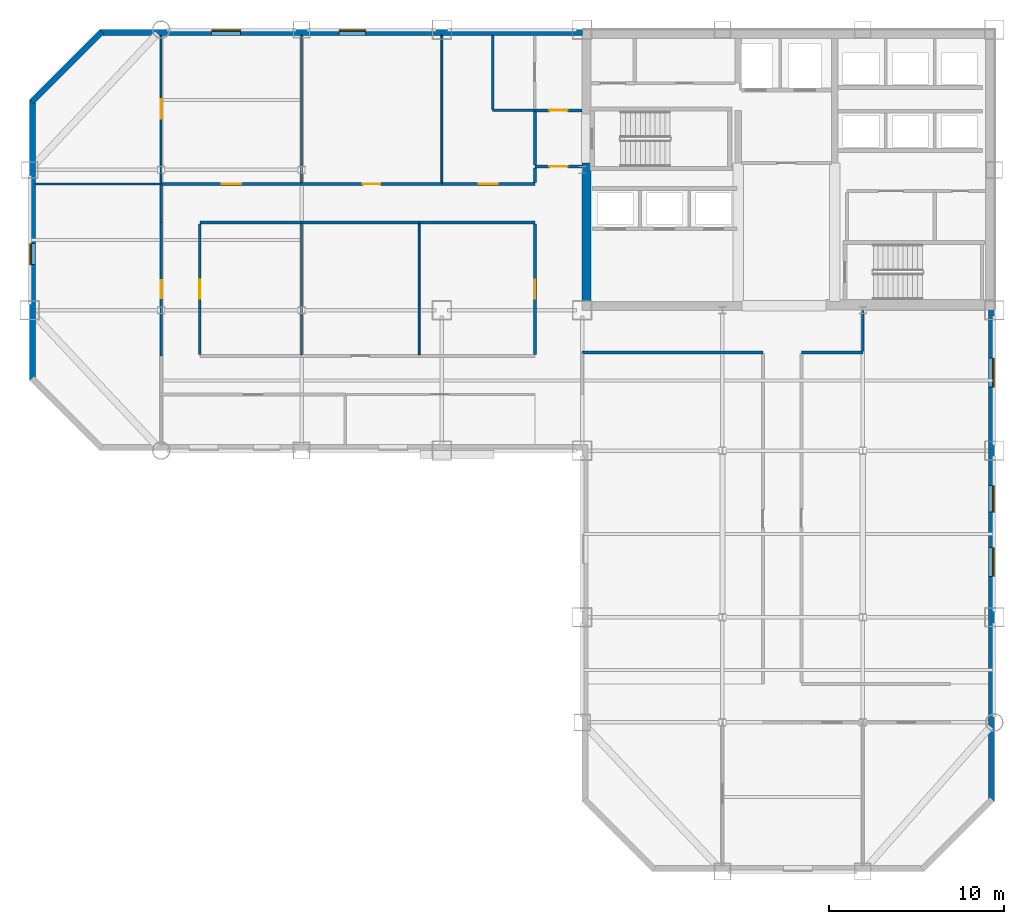
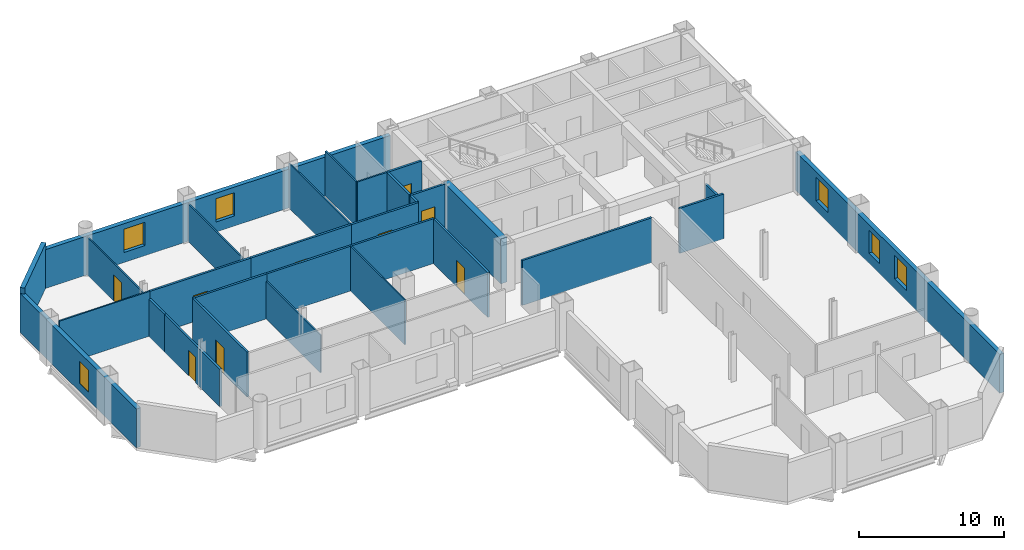
# One storey, part 6 of 10: 30 walls, 9 doors, 6 windows, 15 openings.
"""IFC4 building model written with IfcOpenShell, lengths in metres."""

import ifcopenshell
import ifcopenshell.guid

model = None  # the IFC model being written
_history = None  # IfcOwnerHistory: only IFC2X3 demands one
_inside = {}  # id of a spatial element -> (the spatial element, [elements in it])
_under = {}  # id of a project, library or spatial element -> (it, [spatial elements below it])
_declared = {}  # id of a project -> (the project, [libraries it declares])
_typed = {}  # id of a type object -> (the type object, [elements of that type])
_made_of = {}  # id of a material, layer set ... -> (it, [elements and type objects made of it])


def new_model(schema):
    """Start an empty IFC model of exactly this schema.

    Asked for "IFC4X3", IfcOpenShell would pick the latest addendum, in which some entities
    have other attributes; the version numbers below select the first issue.
    IFC2X3 requires an IfcOwnerHistory on every rooted entity: one is made here for all.
    """
    global model, _history
    if schema == "IFC4X3":
        model = ifcopenshell.file(schema_version=(4, 3, 0, 0))
    else:
        model = ifcopenshell.file(schema=schema)
    _inside.clear()
    _under.clear()
    _declared.clear()
    _typed.clear()
    _made_of.clear()
    _history = None
    if model.schema == "IFC2X3":
        org = make("IfcOrganization", Name="unknown")
        user = make(
            "IfcPersonAndOrganization",
            ThePerson=make("IfcPerson", FamilyName="unknown"),
            TheOrganization=org,
        )
        app = make(
            "IfcApplication",
            ApplicationDeveloper=org,
            Version="unknown",
            ApplicationFullName="unknown",
            ApplicationIdentifier="unknown",
        )
        _history = make(
            "IfcOwnerHistory",
            OwningUser=user,
            OwningApplication=app,
            ChangeAction="ADDED",
            CreationDate=0,
        )
    return model


def make(cls, **values):
    """One entity of the class cls with the attributes given. An attribute that is None is left unset."""
    return model.create_entity(
        cls, **{name: value for name, value in values.items() if value is not None}
    )


def rooted(cls, **values):
    """An entity with a GlobalId (a new one), such as an element, a storey or a relation."""
    return make(cls, GlobalId=ifcopenshell.guid.new(), OwnerHistory=_history, **values)


def si_unit(unit_type, name, prefix=None):
    """IfcSIUnit, for example si_unit("LENGTHUNIT", "METRE", prefix="MILLI")."""
    return make("IfcSIUnit", UnitType=unit_type, Prefix=prefix, Name=name)


def assignment(units):
    """IfcUnitAssignment: the units of a project."""
    return None if units is None else make("IfcUnitAssignment", Units=units)


def point(xyz):
    """IfcCartesianPoint."""
    return None if xyz is None else make("IfcCartesianPoint", Coordinates=xyz)


def direction(xyz):
    """IfcDirection."""
    return None if xyz is None else make("IfcDirection", DirectionRatios=xyz)


def frame(location, z_axis=None, x_axis=None):
    """IfcAxis2Placement3D, a coordinate frame: its origin and axes. An axis left out is left unset."""
    return make(
        "IfcAxis2Placement3D",
        Location=point(location),
        Axis=direction(z_axis),
        RefDirection=direction(x_axis),
    )


def frame_2d(location, x_axis=None):
    """IfcAxis2Placement2D, a coordinate frame in the plane: its origin and x axis."""
    return make(
        "IfcAxis2Placement2D", Location=point(location), RefDirection=direction(x_axis)
    )


def origin():
    """The frame at (0, 0, 0) with its axes left unset."""
    return frame((0.0, 0.0, 0.0))


def place(relative_to, where):
    """IfcLocalPlacement: puts the frame where relative to a parent placement (None: the world)."""
    return make(
        "IfcLocalPlacement", PlacementRelTo=relative_to, RelativePlacement=where
    )


def context(
    kind, dimensions, precision=None, world=None, true_north=None, identifier=None
):
    """IfcGeometricRepresentationContext, for example the 3D "Model" context."""
    return make(
        "IfcGeometricRepresentationContext",
        ContextIdentifier=identifier,
        ContextType=kind,
        CoordinateSpaceDimension=dimensions,
        Precision=precision,
        WorldCoordinateSystem=world,
        TrueNorth=true_north,
    )


def subcontext(parent, identifier, kind, view, scale=None):
    """IfcGeometricRepresentationSubContext, for example "Body" below "Model"."""
    return make(
        "IfcGeometricRepresentationSubContext",
        ContextIdentifier=identifier,
        ContextType=kind,
        ParentContext=parent,
        TargetScale=scale,
        TargetView=view,
    )


def project(units=None, contexts=None):
    """IfcProject with its units and contexts."""
    return rooted(
        "IfcProject",
        Name="project",
        RepresentationContexts=contexts,
        UnitsInContext=assignment(units),
    )


def spatial(cls, under=None, at=None, **own):
    """A site, building, storey or space (cls), placed at a placement, below another one or the project."""
    s = rooted(cls, ObjectPlacement=at, **own)
    if under is not None:
        _under.setdefault(under.id(), (under, []))[1].append(s)
    return s


def profile(cls, at=None, kind="AREA", **sizes):
    """A parametric profile (cls). Its sizes go by their IFC names, for example OverallWidth=200.0."""
    return make(cls, ProfileType=kind, Position=at, **sizes)


def rectangle(**sizes):
    """IfcRectangleProfileDef."""
    return profile("IfcRectangleProfileDef", **sizes)


def extrude(swept, where, along, depth):
    """IfcExtrudedAreaSolid: the profile swept, set in the frame where, extruded along a direction by depth."""
    return make(
        "IfcExtrudedAreaSolid",
        SweptArea=swept,
        Position=where,
        ExtrudedDirection=direction(along),
        Depth=depth,
    )


def shape(context_of_items, identifier, shape_type, items):
    """IfcShapeRepresentation: the items that make up one representation, for example the "Body"."""
    return make(
        "IfcShapeRepresentation",
        ContextOfItems=context_of_items,
        RepresentationIdentifier=identifier,
        RepresentationType=shape_type,
        Items=items,
    )


def material(Name=None, Category=None):
    """IfcMaterial."""
    return make("IfcMaterial", Name=Name, Category=Category)


def layer(
    of_material, thickness, ventilated=None, Name=None, Category=None, Priority=None
):
    """IfcMaterialLayer: one layer of a wall or slab, of a material (None: an air gap)."""
    return make(
        "IfcMaterialLayer",
        Material=of_material,
        LayerThickness=thickness,
        IsVentilated=ventilated,
        Name=Name,
        Category=Category,
        Priority=Priority,
    )


def layer_set(layers, Name=None):
    """IfcMaterialLayerSet."""
    return make("IfcMaterialLayerSet", MaterialLayers=layers, LayerSetName=Name)


def made_of(thing, what):
    """Note that an element or type object is made of a material, layer set ...; save() writes the relation."""
    if what is not None:
        _made_of.setdefault(what.id(), (what, []))[1].append(thing)
    return thing


def type_object(cls, material=None, **own):
    """A type object (cls), such as IfcWallType, which elements share."""
    return made_of(rooted(cls, **own), material)


def element(
    cls,
    number,
    at=None,
    inside=None,
    cuts=None,
    type_object=None,
    material=None,
    context=None,
    identifier="Body",
    shape_type=None,
    held_by="IfcProductDefinitionShape",
    body=None,
    shapes=None,
    **own,
):
    """One element of the class cls, such as IfcWall. Its Tag is "e" and its number.

    at: its placement. inside: the storey or other place that contains it. cuts: it is an
    opening in that element (IfcRelVoidsElement). A single representation is given by context,
    identifier, shape_type and body (its items); several are given by shapes. held_by: the class
    of the entity that holds the representations. save() writes the other relations.
    """
    e = rooted(cls, Tag="e%d" % number, ObjectPlacement=at, **own)
    if body is not None:
        shapes = [shape(context, identifier, shape_type, body)]
    if shapes is not None:
        e.Representation = make(held_by, Representations=shapes)
    if inside is not None:
        _inside.setdefault(inside.id(), (inside, []))[1].append(e)
    if cuts is not None:
        rooted(
            "IfcRelVoidsElement", RelatingBuildingElement=cuts, RelatedOpeningElement=e
        )
    if type_object is not None:
        _typed.setdefault(type_object.id(), (type_object, []))[1].append(e)
    return made_of(e, material)


def fill(opening, filler):
    """IfcRelFillsElement: the door or window that sits in an opening."""
    return rooted(
        "IfcRelFillsElement",
        RelatingOpeningElement=opening,
        RelatedBuildingElement=filler,
    )


def aggregate(whole, parts):
    """IfcRelAggregates: a whole, such as a stair, and the parts it consists of."""
    return rooted("IfcRelAggregates", RelatingObject=whole, RelatedObjects=parts)


def save(model, path):
    """Write the relations noted so far, then the file.

    IfcRelAggregates (storeys below a building ...), IfcRelContainedInSpatialStructure (elements
    in a storey), IfcRelDefinesByType, IfcRelAssociatesMaterial and IfcRelDeclares: one each for
    every whole, place, type object, material and project.
    """
    for whole, parts in _under.values():
        aggregate(whole, parts)
    for where, things in _inside.values():
        rooted(
            "IfcRelContainedInSpatialStructure",
            RelatedElements=things,
            RelatingStructure=where,
        )
    for kind, things in _typed.values():
        rooted("IfcRelDefinesByType", RelatedObjects=things, RelatingType=kind)
    for what, things in _made_of.values():
        rooted("IfcRelAssociatesMaterial", RelatedObjects=things, RelatingMaterial=what)
    for by, libraries in _declared.values():
        rooted("IfcRelDeclares", RelatingContext=by, RelatedDefinitions=libraries)
    model.write(path)


model = new_model("IFC4")

# Units and contexts
model_context = context("Model", 3, precision=1e-05, world=origin(), true_north=direction((0.0, 1.0)))
body_context = subcontext(model_context, "Body", "Model", "MODEL_VIEW")
ifc_project = project(units=[si_unit("LENGTHUNIT", "METRE"), si_unit("AREAUNIT", "SQUARE_METRE"), si_unit("VOLUMEUNIT", "CUBIC_METRE"), si_unit("PLANEANGLEUNIT", "RADIAN"), si_unit("MASSUNIT", "GRAM", prefix="KILO")], contexts=[model_context])

# Site, building, storey
site_placement = place(None, origin())
site = spatial("IfcSite", under=ifc_project, at=site_placement, CompositionType="ELEMENT")
building_placement = place(site_placement, origin())
building = spatial("IfcBuilding", under=site, at=building_placement, Name="Qianrong Seaharbour Tower", CompositionType="ELEMENT")
storey_placement = place(building_placement, frame((0.0, 0.0, 131.0)))
storey = spatial("IfcBuildingStorey", under=building, at=storey_placement, Name="L31", CompositionType="ELEMENT", Elevation=131.0)

# Wall
ifc_material_1 = material(Name="Concrete C60/75", Category="concrete")
ifc_layer_1 = layer(ifc_material_1, 0.5)
ifc_layer_set_1 = layer_set([ifc_layer_1], Name="Concrete C60/75")
wall_type_1 = type_object("IfcWallType", Name="WALL-CORE-500", PredefinedType="SHEAR", material=ifc_layer_set_1)
wall_1_placement = place(storey_placement, frame((40.75, 36.5, 0.0), z_axis=(0.0, 0.0, 1.0), x_axis=(0.0, 1.0, 0.0)))
element("IfcWall", 1, at=wall_1_placement, inside=storey, type_object=wall_type_1, Name="L31 West Core Shear Wall South", PredefinedType="SHEAR", context=body_context, shape_type="SweptSolid", body=[
    extrude(rectangle(XDim=7.89990234375, YDim=0.5, at=frame_2d((3.949951171875, 0.0))), origin(), (0.0, 0.0, 1.0), 3.764892578125),
])

# Wall, opening, door
ifc_material_2 = material(Name="Fire-rated acoustic gypsum board partition")
ifc_layer_2 = layer(ifc_material_2, 0.1650390625)
ifc_layer_set_2 = layer_set([ifc_layer_2], Name="Fire-rated acoustic gypsum board partition")
wall_type_2 = type_object("IfcWallType", Name="WALL-CORR-PART-165", PredefinedType="PARTITIONING", material=ifc_layer_set_2)
wall_2_placement = place(storey_placement, frame((37.800048828125, 47.39990234375, 0.0), z_axis=(0.0, 0.0, 1.0), x_axis=(1.0, 0.0, 0.0)))
wall_2 = element("IfcWall", 2, at=wall_2_placement, inside=storey, type_object=wall_type_2, Name="L31 Interior Partition Wall 001", PredefinedType="PARTITIONING", context=body_context, shape_type="SweptSolid", body=[
    extrude(rectangle(XDim=2.699951171875, YDim=0.1650390625, at=frame_2d((1.35009765625, 0.0))), origin(), (0.0, 0.0, 1.0), 3.764892578125),
])
opening_1_placement = place(wall_2_placement, frame((0.824951171875, 0.0, 0.0)))
opening_1 = element("IfcOpeningElement", 3, at=opening_1_placement, cuts=wall_2, Name="Opening DC-01", PredefinedType="OPENING", context=body_context, shape_type="SweptSolid", body=[
    extrude(rectangle(XDim=1.050048828125, YDim=2.14990234375, at=frame_2d((0.52490234375, 1.074951171875))), frame((0.0, 0.092529296875, 0.0), z_axis=(0.0, -1.0, 0.0), x_axis=(1.0, 0.0, 0.0)), (0.0, 0.0, 1.0), 0.18505859375),
])
ifc_material_3 = material(Name="Acoustic timber and galvanized steel fire door assembly", Category="steel")
door_type_1 = type_object("IfcDoorType", Name="DOOR-CORR-FD60-1050x2150", OperationType="NOTDEFINED", PredefinedType="DOOR", material=ifc_material_3)
door_1_placement = place(opening_1_placement, origin())
door_1 = element("IfcDoor", 4, at=door_1_placement, inside=storey, type_object=door_type_1, Name="L31 Smokeproof Stair Vestibule ST-1 Door", OperationType="SINGLE_SWING_LEFT", OverallHeight=2.14990234375, OverallWidth=1.050048828125, PredefinedType="DOOR", context=body_context, shape_type="SweptSolid", body=[
    extrude(rectangle(XDim=1.050048828125, YDim=2.14990234375, at=frame_2d((0.52490234375, 1.074951171875))), frame((0.0, 0.02490234375, 0.0), z_axis=(0.0, -1.0, 0.0), x_axis=(1.0, 0.0, 0.0)), (0.0, 0.0, 1.0), 0.050048828125),
])
fill(opening_1, door_1)

wall_3_placement = place(storey_placement, frame((40.5, 44.199951171875, 0.0), z_axis=(0.0, 0.0, 1.0), x_axis=(-1.0, 0.0, 0.0)))
wall_3 = element("IfcWall", 5, at=wall_3_placement, inside=storey, type_object=wall_type_2, Name="L31 Interior Partition Wall 002", PredefinedType="PARTITIONING", context=body_context, shape_type="SweptSolid", body=[
    extrude(rectangle(XDim=2.699951171875, YDim=0.1650390625, at=frame_2d((1.35009765625, 0.0))), origin(), (0.0, 0.0, 1.0), 3.764892578125),
])
opening_2_placement = place(wall_3_placement, frame((0.824951171875, 0.0, 0.0)))
opening_2 = element("IfcOpeningElement", 6, at=opening_2_placement, cuts=wall_3, Name="Opening DC-01", PredefinedType="OPENING", context=body_context, shape_type="SweptSolid", body=[
    extrude(rectangle(XDim=1.050048828125, YDim=2.14990234375, at=frame_2d((0.52490234375, 1.074951171875))), frame((0.0, 0.092529296875, 0.0), z_axis=(0.0, -1.0, 0.0), x_axis=(1.0, 0.0, 0.0)), (0.0, 0.0, 1.0), 0.18505859375),
])
door_2_placement = place(opening_2_placement, origin())
door_2 = element("IfcDoor", 7, at=door_2_placement, inside=storey, type_object=door_type_1, Name="L31 Smokeproof Stair Vestibule ST-1 Door", OperationType="SINGLE_SWING_RIGHT", OverallHeight=2.14990234375, OverallWidth=1.050048828125, PredefinedType="DOOR", context=body_context, shape_type="SweptSolid", body=[
    extrude(rectangle(XDim=1.050048828125, YDim=2.14990234375, at=frame_2d((0.52490234375, 1.074951171875))), frame((0.0, 0.02490234375, 0.0), z_axis=(0.0, -1.0, 0.0), x_axis=(1.0, 0.0, 0.0)), (0.0, 0.0, 1.0), 0.050048828125),
])
fill(opening_2, door_2)

# Wall
wall_4_placement = place(storey_placement, frame((37.800048828125, 44.2744140625, 0.0), z_axis=(0.0, 0.0, 1.0), x_axis=(0.0, 1.0, 0.0)))
element("IfcWall", 8, at=wall_4_placement, inside=storey, type_object=wall_type_2, Name="L31 Interior Partition Wall 003", PredefinedType="PARTITIONING", context=body_context, shape_type="SweptSolid", body=[
    extrude(rectangle(XDim=3.051025390625, YDim=0.1650390625, at=frame_2d((1.525390625, 0.0))), origin(), (0.0, 0.0, 1.0), 3.764892578125),
])

# Wall, opening, door
wall_5_placement = place(storey_placement, frame((16.5, 43.199951171875, 0.0), z_axis=(0.0, 0.0, 1.0), x_axis=(1.0, 0.0, 0.0)))
wall_5 = element("IfcWall", 9, at=wall_5_placement, inside=storey, type_object=wall_type_2, Name="L31 Interior Partition Wall 021", PredefinedType="PARTITIONING", context=body_context, shape_type="SweptSolid", body=[
    extrude(rectangle(XDim=8.0, YDim=0.1650390625, at=frame_2d((4.0, 0.0))), origin(), (0.0, 0.0, 1.0), 3.764892578125),
])
opening_3_placement = place(wall_5_placement, frame((3.449951171875, 0.0, 0.0)))
opening_3 = element("IfcOpeningElement", 10, at=opening_3_placement, cuts=wall_5, Name="Opening DM-01", PredefinedType="OPENING", context=body_context, shape_type="SweptSolid", body=[
    extrude(rectangle(XDim=1.10009765625, YDim=2.199951171875, at=frame_2d((0.550048828125, 1.10009765625))), frame((0.0, 0.092529296875, 0.0), z_axis=(0.0, -1.0, 0.0), x_axis=(1.0, 0.0, 0.0)), (0.0, 0.0, 1.0), 0.18505859375),
])
door_type_2 = type_object("IfcDoorType", Name="DOOR-MEET-1100x2200", OperationType="NOTDEFINED", PredefinedType="DOOR", material=ifc_material_3)
door_3_placement = place(opening_3_placement, origin())
door_3 = element("IfcDoor", 11, at=door_3_placement, inside=storey, type_object=door_type_2, Name="L31 Meeting Room 2 Door", OperationType="SINGLE_SWING_RIGHT", OverallHeight=2.199951171875, OverallWidth=1.10009765625, PredefinedType="DOOR", context=body_context, shape_type="SweptSolid", body=[
    extrude(rectangle(XDim=1.10009765625, YDim=2.199951171875, at=frame_2d((0.550048828125, 1.10009765625))), frame((0.0, 0.02490234375, 0.0), z_axis=(0.0, -1.0, 0.0), x_axis=(1.0, 0.0, 0.0)), (0.0, 0.0, 1.0), 0.050048828125),
])
fill(opening_3, door_3)

wall_6_placement = place(storey_placement, frame((24.5, 43.199951171875, 0.0), z_axis=(0.0, 0.0, 1.0), x_axis=(1.0, 0.0, 0.0)))
wall_6 = element("IfcWall", 12, at=wall_6_placement, inside=storey, type_object=wall_type_2, Name="L31 Interior Partition Wall 022", PredefinedType="PARTITIONING", context=body_context, shape_type="SweptSolid", body=[
    extrude(rectangle(XDim=8.0, YDim=0.1650390625, at=frame_2d((4.0, 0.0))), origin(), (0.0, 0.0, 1.0), 3.764892578125),
])
opening_4_placement = place(wall_6_placement, frame((3.5, 0.0, 0.0)))
opening_4 = element("IfcOpeningElement", 13, at=opening_4_placement, cuts=wall_6, Name="Opening DO-01", PredefinedType="OPENING", context=body_context, shape_type="SweptSolid", body=[
    extrude(rectangle(XDim=1.0, YDim=2.14990234375, at=frame_2d((0.5, 1.074951171875))), frame((0.0, 0.092529296875, 0.0), z_axis=(0.0, -1.0, 0.0), x_axis=(1.0, 0.0, 0.0)), (0.0, 0.0, 1.0), 0.18505859375),
])
door_type_3 = type_object("IfcDoorType", Name="DOOR-OFFICE-1000x2150", OperationType="NOTDEFINED", PredefinedType="DOOR", material=ifc_material_3)
door_4_placement = place(opening_4_placement, origin())
door_4 = element("IfcDoor", 14, at=door_4_placement, inside=storey, type_object=door_type_3, Name="L31 Project Library 3 Door", OperationType="SINGLE_SWING_LEFT", OverallHeight=2.14990234375, OverallWidth=1.0, PredefinedType="DOOR", context=body_context, shape_type="SweptSolid", body=[
    extrude(rectangle(XDim=1.0, YDim=2.14990234375, at=frame_2d((0.5, 1.074951171875))), frame((0.0, 0.02490234375, 0.0), z_axis=(0.0, -1.0, 0.0), x_axis=(1.0, 0.0, 0.0)), (0.0, 0.0, 1.0), 0.050048828125),
])
fill(opening_4, door_4)

wall_7_placement = place(storey_placement, frame((32.5, 43.199951171875, 0.0), z_axis=(0.0, 0.0, 1.0), x_axis=(1.0, 0.0, 0.0)))
wall_7 = element("IfcWall", 15, at=wall_7_placement, inside=storey, type_object=wall_type_2, Name="L31 Interior Partition Wall 023", PredefinedType="PARTITIONING", context=body_context, shape_type="SweptSolid", body=[
    extrude(rectangle(XDim=5.300048828125, YDim=0.1650390625, at=frame_2d((2.64990234375, 0.0))), origin(), (0.0, 0.0, 1.0), 3.764892578125),
])
opening_5_placement = place(wall_7_placement, frame((2.10009765625, 0.0, 0.0)))
opening_5 = element("IfcOpeningElement", 16, at=opening_5_placement, cuts=wall_7, Name="Opening DM-01", PredefinedType="OPENING", context=body_context, shape_type="SweptSolid", body=[
    extrude(rectangle(XDim=1.10009765625, YDim=2.199951171875, at=frame_2d((0.550048828125, 1.10009765625))), frame((0.0, 0.092529296875, 0.0), z_axis=(0.0, -1.0, 0.0), x_axis=(1.0, 0.0, 0.0)), (0.0, 0.0, 1.0), 0.18505859375),
])
door_5_placement = place(opening_5_placement, origin())
door_5 = element("IfcDoor", 17, at=door_5_placement, inside=storey, type_object=door_type_2, Name="L31 Training Seminar Room 4 Door", OperationType="SINGLE_SWING_RIGHT", OverallHeight=2.199951171875, OverallWidth=1.10009765625, PredefinedType="DOOR", context=body_context, shape_type="SweptSolid", body=[
    extrude(rectangle(XDim=1.10009765625, YDim=2.199951171875, at=frame_2d((0.550048828125, 1.10009765625))), frame((0.0, 0.02490234375, 0.0), z_axis=(0.0, -1.0, 0.0), x_axis=(1.0, 0.0, 0.0)), (0.0, 0.0, 1.0), 0.050048828125),
])
fill(opening_5, door_5)

# Walls
wall_8_placement = place(storey_placement, frame((24.5, 41.0, 0.0), z_axis=(0.0, 0.0, 1.0), x_axis=(-1.0, 0.0, 0.0)))
element("IfcWall", 18, at=wall_8_placement, inside=storey, type_object=wall_type_2, Name="L31 Interior Partition Wall 024", PredefinedType="PARTITIONING", context=body_context, shape_type="SweptSolid", body=[
    extrude(rectangle(XDim=5.800048828125, YDim=0.1650390625, at=frame_2d((2.89990234375, 0.0))), origin(), (0.0, 0.0, 1.0), 3.764892578125),
])
wall_9_placement = place(storey_placement, frame((31.199951171875, 41.0, 0.0), z_axis=(0.0, 0.0, 1.0), x_axis=(-1.0, 0.0, 0.0)))
element("IfcWall", 19, at=wall_9_placement, inside=storey, type_object=wall_type_2, Name="L31 Interior Partition Wall 025", PredefinedType="PARTITIONING", context=body_context, shape_type="SweptSolid", body=[
    extrude(rectangle(XDim=6.699951171875, YDim=0.1650390625, at=frame_2d((3.35009765625, 0.0))), origin(), (0.0, 0.0, 1.0), 3.764892578125),
])
wall_10_placement = place(storey_placement, frame((37.800048828125, 41.0, 0.0), z_axis=(0.0, 0.0, 1.0), x_axis=(-1.0, 0.0, 0.0)))
element("IfcWall", 20, at=wall_10_placement, inside=storey, type_object=wall_type_2, Name="L31 Interior Partition Wall 026", PredefinedType="PARTITIONING", context=body_context, shape_type="SweptSolid", body=[
    extrude(rectangle(XDim=6.60009765625, YDim=0.1650390625, at=frame_2d((3.300048828125, 0.0))), origin(), (0.0, 0.0, 1.0), 3.764892578125),
])
wall_11_placement = place(storey_placement, frame((16.5, 41.0, 0.0), z_axis=(0.0, 0.0, 1.0), x_axis=(0.0, 1.0, 0.0)))
element("IfcWall", 21, at=wall_11_placement, inside=storey, type_object=wall_type_2, Name="L31 Interior Partition Wall 027", PredefinedType="PARTITIONING", context=body_context, shape_type="SweptSolid", body=[
    extrude(rectangle(XDim=2.12548828125, YDim=0.1650390625, at=frame_2d((1.062744140625, 0.0))), origin(), (0.0, 0.0, 1.0), 3.156982421875),
])

# Wall, opening, door
wall_12_placement = place(storey_placement, frame((18.699951171875, 40.925537109375, 0.0), z_axis=(0.0, 0.0, 1.0), x_axis=(0.0, -1.0, 0.0)))
wall_12 = element("IfcWall", 22, at=wall_12_placement, inside=storey, type_object=wall_type_2, Name="L31 Interior Partition Wall 028", PredefinedType="PARTITIONING", context=body_context, shape_type="SweptSolid", body=[
    extrude(rectangle(XDim=7.450927734375, YDim=0.1650390625, at=frame_2d((3.7255859375, 0.0))), origin(), (0.0, 0.0, 1.0), 3.764892578125),
])
opening_6_placement = place(wall_12_placement, frame((3.175537109375, 0.0, 0.0)))
opening_6 = element("IfcOpeningElement", 23, at=opening_6_placement, cuts=wall_12, Name="Opening DM-01", PredefinedType="OPENING", context=body_context, shape_type="SweptSolid", body=[
    extrude(rectangle(XDim=1.10009765625, YDim=2.199951171875, at=frame_2d((0.550048828125, 1.10009765625))), frame((0.0, 0.092529296875, 0.0), z_axis=(0.0, -1.0, 0.0), x_axis=(1.0, 0.0, 0.0)), (0.0, 0.0, 1.0), 0.18505859375),
])
door_6_placement = place(opening_6_placement, origin())
door_6 = element("IfcDoor", 24, at=door_6_placement, inside=storey, type_object=door_type_2, Name="L31 Conference Room 1 Door", OperationType="SINGLE_SWING_LEFT", OverallHeight=2.199951171875, OverallWidth=1.10009765625, PredefinedType="DOOR", context=body_context, shape_type="SweptSolid", body=[
    extrude(rectangle(XDim=1.10009765625, YDim=2.199951171875, at=frame_2d((0.550048828125, 1.10009765625))), frame((0.0, 0.02490234375, 0.0), z_axis=(0.0, -1.0, 0.0), x_axis=(1.0, 0.0, 0.0)), (0.0, 0.0, 1.0), 0.050048828125),
])
fill(opening_6, door_6)

wall_13_placement = place(storey_placement, frame((16.5, 33.39990234375, 0.0), z_axis=(0.0, 0.0, 1.0), x_axis=(0.0, 1.0, 0.0)))
wall_13 = element("IfcWall", 25, at=wall_13_placement, inside=storey, type_object=wall_type_2, Name="L31 Interior Partition Wall 029", PredefinedType="PARTITIONING", context=body_context, shape_type="SweptSolid", body=[
    extrude(rectangle(XDim=7.60009765625, YDim=0.1650390625, at=frame_2d((3.800048828125, 0.0))), origin(), (0.0, 0.0, 1.0), 3.156982421875),
])
opening_7_placement = place(wall_13_placement, frame((3.300048828125, 0.0, 0.0)))
opening_7 = element("IfcOpeningElement", 26, at=opening_7_placement, cuts=wall_13, Name="Opening DO-01", PredefinedType="OPENING", context=body_context, shape_type="SweptSolid", body=[
    extrude(rectangle(XDim=1.0, YDim=2.14990234375, at=frame_2d((0.5, 1.074951171875))), frame((0.0, 0.092529296875, 0.0), z_axis=(0.0, -1.0, 0.0), x_axis=(1.0, 0.0, 0.0)), (0.0, 0.0, 1.0), 0.18505859375),
])
door_7_placement = place(opening_7_placement, origin())
door_7 = element("IfcDoor", 27, at=door_7_placement, inside=storey, type_object=door_type_3, Name="L31 West Harbour Lecture Hall Door", OperationType="SINGLE_SWING_RIGHT", OverallHeight=2.14990234375, OverallWidth=1.0, PredefinedType="DOOR", context=body_context, shape_type="SweptSolid", body=[
    extrude(rectangle(XDim=1.0, YDim=2.14990234375, at=frame_2d((0.5, 1.074951171875))), frame((0.0, 0.02490234375, 0.0), z_axis=(0.0, -1.0, 0.0), x_axis=(1.0, 0.0, 0.0)), (0.0, 0.0, 1.0), 0.050048828125),
])
fill(opening_7, door_7)

# Wall
wall_14_placement = place(storey_placement, frame((37.800048828125, 43.2744140625, 0.0), z_axis=(0.0, 0.0, 1.0), x_axis=(0.0, 1.0, 0.0)))
element("IfcWall", 28, at=wall_14_placement, inside=storey, type_object=wall_type_2, Name="L31 Interior Partition Wall 031", PredefinedType="PARTITIONING", context=body_context, shape_type="SweptSolid", body=[
    extrude(rectangle(XDim=0.85107421875, YDim=0.1650390625, at=frame_2d((0.425537109375, 0.0))), origin(), (0.0, 0.0, 1.0), 3.764892578125),
])

# Wall, opening, door
wall_15_placement = place(storey_placement, frame((37.800048828125, 33.474609375, 0.0), z_axis=(0.0, 0.0, 1.0), x_axis=(0.0, 1.0, 0.0)))
wall_15 = element("IfcWall", 29, at=wall_15_placement, inside=storey, type_object=wall_type_2, Name="L31 Interior Partition Wall 032", PredefinedType="PARTITIONING", context=body_context, shape_type="SweptSolid", body=[
    extrude(rectangle(XDim=7.450927734375, YDim=0.1650390625, at=frame_2d((3.7255859375, 0.0))), origin(), (0.0, 0.0, 1.0), 3.764892578125),
])
opening_8_placement = place(wall_15_placement, frame((3.175537109375, 0.0, 0.0)))
opening_8 = element("IfcOpeningElement", 30, at=opening_8_placement, cuts=wall_15, Name="Opening DM-01", PredefinedType="OPENING", context=body_context, shape_type="SweptSolid", body=[
    extrude(rectangle(XDim=1.10009765625, YDim=2.199951171875, at=frame_2d((0.550048828125, 1.10009765625))), frame((0.0, 0.092529296875, 0.0), z_axis=(0.0, -1.0, 0.0), x_axis=(1.0, 0.0, 0.0)), (0.0, 0.0, 1.0), 0.18505859375),
])
door_8_placement = place(opening_8_placement, origin())
door_8 = element("IfcDoor", 31, at=door_8_placement, inside=storey, type_object=door_type_2, Name="L31 Briefing Room 3 Door", OperationType="SINGLE_SWING_LEFT", OverallHeight=2.199951171875, OverallWidth=1.10009765625, PredefinedType="DOOR", context=body_context, shape_type="SweptSolid", body=[
    extrude(rectangle(XDim=1.10009765625, YDim=2.199951171875, at=frame_2d((0.550048828125, 1.10009765625))), frame((0.0, 0.02490234375, 0.0), z_axis=(0.0, -1.0, 0.0), x_axis=(1.0, 0.0, 0.0)), (0.0, 0.0, 1.0), 0.050048828125),
])
fill(opening_8, door_8)

# Walls
wall_16_placement = place(storey_placement, frame((56.5, 36.0, 0.0), z_axis=(0.0, 0.0, 1.0), x_axis=(0.0, -1.0, 0.0)))
element("IfcWall", 32, at=wall_16_placement, inside=storey, type_object=wall_type_2, Name="L31 Interior Partition Wall 033", PredefinedType="PARTITIONING", context=body_context, shape_type="SweptSolid", body=[
    extrude(rectangle(XDim=2.325439453125, YDim=0.1650390625, at=frame_2d((1.16259765625, 0.0))), origin(), (0.0, 0.0, 1.0), 3.156982421875),
])
wall_17_placement = place(storey_placement, frame((56.5, 33.60009765625, 0.0), z_axis=(0.0, 0.0, 1.0), x_axis=(-1.0, 0.0, 0.0)))
element("IfcWall", 33, at=wall_17_placement, inside=storey, type_object=wall_type_2, Name="L31 Interior Partition Wall 034", PredefinedType="PARTITIONING", context=body_context, shape_type="SweptSolid", body=[
    extrude(rectangle(XDim=3.5, YDim=0.1650390625, at=frame_2d((1.75, 0.0))), origin(), (0.0, 0.0, 1.0), 3.764892578125),
])
wall_18_placement = place(storey_placement, frame((50.800048828125, 33.60009765625, 0.0), z_axis=(0.0, 0.0, 1.0), x_axis=(-1.0, 0.0, 0.0)))
element("IfcWall", 34, at=wall_18_placement, inside=storey, type_object=wall_type_2, Name="L31 Interior Partition Wall 035", PredefinedType="PARTITIONING", context=body_context, shape_type="SweptSolid", body=[
    extrude(rectangle(XDim=10.300048828125, YDim=0.1650390625, at=frame_2d((5.14990234375, 0.0))), origin(), (0.0, 0.0, 1.0), 3.764892578125),
])

# Wall, opening, door
ifc_material_4 = material(Name="Demountable aluminium-framed acoustic office partition", Category="aluminium")
ifc_layer_3 = layer(ifc_material_4, 0.110107421875)
ifc_layer_set_3 = layer_set([ifc_layer_3], Name="Demountable aluminium-framed acoustic office partition")
wall_type_3 = type_object("IfcWallType", Name="WALL-DEMOUNT-110", PredefinedType="MOVABLE", material=ifc_layer_set_3)
wall_19_placement = place(storey_placement, frame((16.5, 51.66796875, 0.0), z_axis=(0.0, 0.0, 1.0), x_axis=(0.0, -1.0, 0.0)))
wall_19 = element("IfcWall", 35, at=wall_19_placement, inside=storey, type_object=wall_type_3, Name="L31 Interior Partition Wall 042", PredefinedType="MOVABLE", context=body_context, shape_type="SweptSolid", body=[
    extrude(rectangle(XDim=8.3935546875, YDim=0.110107421875, at=frame_2d((4.19677734375, 0.0))), origin(), (0.0, 0.0, 1.0), 3.156982421875),
])
opening_9_placement = place(wall_19_placement, frame((3.646728515625, 0.0, 0.0)))
opening_9 = element("IfcOpeningElement", 36, at=opening_9_placement, cuts=wall_19, Name="Opening DM-01", PredefinedType="OPENING", context=body_context, shape_type="SweptSolid", body=[
    extrude(rectangle(XDim=1.10009765625, YDim=2.199951171875, at=frame_2d((0.550048828125, 1.10009765625))), frame((0.0, 0.06494140625, 0.0), z_axis=(0.0, -1.0, 0.0), x_axis=(1.0, 0.0, 0.0)), (0.0, 0.0, 1.0), 0.130126953125),
])
door_9_placement = place(opening_9_placement, origin())
door_9 = element("IfcDoor", 37, at=door_9_placement, inside=storey, type_object=door_type_2, Name="L31 Boardroom 1 Door", OperationType="SINGLE_SWING_LEFT", OverallHeight=2.199951171875, OverallWidth=1.10009765625, PredefinedType="DOOR", context=body_context, shape_type="SweptSolid", body=[
    extrude(rectangle(XDim=1.10009765625, YDim=2.199951171875, at=frame_2d((0.550048828125, 1.10009765625))), frame((0.0, 0.02490234375, 0.0), z_axis=(0.0, -1.0, 0.0), x_axis=(1.0, 0.0, 0.0)), (0.0, 0.0, 1.0), 0.050048828125),
])
fill(opening_9, door_9)

# Walls
wall_20_placement = place(storey_placement, frame((16.5, 43.199951171875, 0.0), z_axis=(0.0, 0.0, 1.0), x_axis=(-1.0, 0.0, 0.0)))
element("IfcWall", 38, at=wall_20_placement, inside=storey, type_object=wall_type_3, Name="L31 Interior Partition Wall 043", PredefinedType="MOVABLE", context=body_context, shape_type="SweptSolid", body=[
    extrude(rectangle(XDim=7.16796875, YDim=0.110107421875, at=frame_2d((3.583984375, 0.0))), origin(), (0.0, 0.0, 1.0), 3.764892578125),
])
wall_21_placement = place(storey_placement, frame((24.5, 51.66796875, 0.0), z_axis=(0.0, 0.0, 1.0), x_axis=(0.0, -1.0, 0.0)))
element("IfcWall", 39, at=wall_21_placement, inside=storey, type_object=wall_type_3, Name="L31 Interior Partition Wall 044", PredefinedType="MOVABLE", context=body_context, shape_type="SweptSolid", body=[
    extrude(rectangle(XDim=8.3935546875, YDim=0.110107421875, at=frame_2d((4.19677734375, 0.0))), origin(), (0.0, 0.0, 1.0), 3.156982421875),
])
wall_22_placement = place(storey_placement, frame((32.5, 51.66796875, 0.0), z_axis=(0.0, 0.0, 1.0), x_axis=(0.0, -1.0, 0.0)))
element("IfcWall", 40, at=wall_22_placement, inside=storey, type_object=wall_type_3, Name="L31 Interior Partition Wall 045", PredefinedType="MOVABLE", context=body_context, shape_type="SweptSolid", body=[
    extrude(rectangle(XDim=8.3935546875, YDim=0.110107421875, at=frame_2d((4.19677734375, 0.0))), origin(), (0.0, 0.0, 1.0), 3.764892578125),
])
wall_23_placement = place(storey_placement, frame((24.5, 40.925537109375, 0.0), z_axis=(0.0, 0.0, 1.0), x_axis=(0.0, -1.0, 0.0)))
element("IfcWall", 41, at=wall_23_placement, inside=storey, type_object=wall_type_3, Name="L31 Interior Partition Wall 046", PredefinedType="MOVABLE", context=body_context, shape_type="SweptSolid", body=[
    extrude(rectangle(XDim=7.450927734375, YDim=0.110107421875, at=frame_2d((3.7255859375, 0.0))), origin(), (0.0, 0.0, 1.0), 3.156982421875),
])
wall_24_placement = place(storey_placement, frame((31.199951171875, 40.925537109375, 0.0), z_axis=(0.0, 0.0, 1.0), x_axis=(0.0, -1.0, 0.0)))
element("IfcWall", 42, at=wall_24_placement, inside=storey, type_object=wall_type_3, Name="L31 Interior Partition Wall 047", PredefinedType="MOVABLE", context=body_context, shape_type="SweptSolid", body=[
    extrude(rectangle(XDim=7.450927734375, YDim=0.110107421875, at=frame_2d((3.7255859375, 0.0))), origin(), (0.0, 0.0, 1.0), 3.764892578125),
])

# Wall, opening, window
ifc_material_5 = material(Name="Unitised buff brick on Precast concrete C45/55", Category="masonry")
ifc_layer_4 = layer(ifc_material_5, 0.340087890625)
ifc_layer_set_4 = layer_set([ifc_layer_4], Name="Unitised buff brick on Precast concrete C45/55")
wall_type_4 = type_object("IfcWallType", Name="WALL-EXT-BRICK-BUFF-340", PredefinedType="SOLIDWALL", material=ifc_layer_set_4)
wall_25_placement = place(storey_placement, frame((9.169921875, 32.0, 0.0), z_axis=(0.0, 0.0, 1.0), x_axis=(0.0, 1.0, 0.0)))
wall_25 = element("IfcWall", 43, at=wall_25_placement, inside=storey, type_object=wall_type_4, Name="L31 Exterior Masonry Facade Wall WEST_TIP", PredefinedType="SOLIDWALL", context=body_context, shape_type="SweptSolid", body=[
    extrude(rectangle(XDim=16.0, YDim=0.340087890625, at=frame_2d((8.0, 0.0))), origin(), (0.0, 0.0, 1.0), 3.264892578125),
])
opening_10_placement = place(wall_25_placement, frame((6.60009765625, 0.0, 0.699951171875)))
opening_10 = element("IfcOpeningElement", 44, at=opening_10_placement, cuts=wall_25, Name="Opening WN-01", PredefinedType="OPENING", context=body_context, shape_type="SweptSolid", body=[
    extrude(rectangle(XDim=1.199951171875, YDim=1.85009765625, at=frame_2d((0.60009765625, 0.925048828125))), frame((0.0, 0.18017578125, 0.0), z_axis=(0.0, -1.0, 0.0), x_axis=(1.0, 0.0, 0.0)), (0.0, 0.0, 1.0), 0.360107421875),
])
ifc_material_6 = material(Name="Insulated low-e double glazing in thermally broken aluminium 6063-T6 frame", Category="aluminium")
window_type_1 = type_object("IfcWindowType", Name="WIN-PUNCH-1200x1850", PartitioningType="DOUBLE_PANEL_VERTICAL", PredefinedType="WINDOW", material=ifc_material_6)
window_1_placement = place(opening_10_placement, origin())
window_1 = element("IfcWindow", 45, at=window_1_placement, inside=storey, type_object=window_type_1, Name="L31 Deep-Set Punched Window 03.02", OverallHeight=1.85009765625, OverallWidth=1.199951171875, PartitioningType="DOUBLE_PANEL_VERTICAL", PredefinedType="WINDOW", context=body_context, shape_type="SweptSolid", body=[
    extrude(rectangle(XDim=1.199951171875, YDim=1.85009765625, at=frame_2d((0.60009765625, 0.925048828125))), frame((0.0, 0.150146484375, 0.0), z_axis=(0.0, -1.0, 0.0), x_axis=(1.0, 0.0, 0.0)), (0.0, 0.0, 1.0), 0.06005859375),
])
fill(opening_10, window_1)

# Wall
wall_26_placement = place(storey_placement, frame((9.1201171875, 47.8798828125, 0.0), z_axis=(0.0, 0.0, 1.0), x_axis=(0.707106781187, 0.707106781187, 0.0)))
element("IfcWall", 46, at=wall_26_placement, inside=storey, type_object=wall_type_4, Name="L31 Exterior Masonry Facade Wall E04", PredefinedType="SOLIDWALL", context=body_context, shape_type="SweptSolid", body=[
    extrude(rectangle(XDim=5.65673828125, YDim=0.340087890625, at=frame_2d((2.828369140625, 0.0))), origin(), (0.0, 0.0, 1.0), 3.764892578125),
])

# Wall, openings, windows
wall_27_placement = place(storey_placement, frame((13.0, 51.830078125, 0.0), z_axis=(0.0, 0.0, 1.0), x_axis=(1.0, 0.0, 0.0)))
wall_27 = element("IfcWall", 47, at=wall_27_placement, inside=storey, type_object=wall_type_4, Name="L31 Exterior Masonry Facade Wall NORTH_WING", PredefinedType="SOLIDWALL", context=body_context, shape_type="SweptSolid", body=[
    extrude(rectangle(XDim=27.52001953125, YDim=0.340087890625, at=frame_2d((13.760009765625, 0.0))), origin(), (0.0, 0.0, 1.0), 3.264892578125),
])
opening_11_placement = place(wall_27_placement, frame((6.375, 0.0, 0.85009765625)))
opening_11 = element("IfcOpeningElement", 48, at=opening_11_placement, cuts=wall_27, Name="Opening WN-04", PredefinedType="OPENING", context=body_context, shape_type="SweptSolid", body=[
    extrude(rectangle(XDim=1.64990234375, YDim=1.949951171875, at=frame_2d((0.824951171875, 0.97509765625))), frame((0.0, 0.18017578125, 0.0), z_axis=(0.0, -1.0, 0.0), x_axis=(1.0, 0.0, 0.0)), (0.0, 0.0, 1.0), 0.360107421875),
])
opening_12_placement = place(wall_27_placement, frame((13.64990234375, 0.0, 0.85009765625)))
opening_12 = element("IfcOpeningElement", 49, at=opening_12_placement, cuts=wall_27, Name="Opening WN-03", PredefinedType="OPENING", context=body_context, shape_type="SweptSolid", body=[
    extrude(rectangle(XDim=1.5, YDim=1.949951171875, at=frame_2d((0.75, 0.97509765625))), frame((0.0, 0.18017578125, 0.0), z_axis=(0.0, -1.0, 0.0), x_axis=(1.0, 0.0, 0.0)), (0.0, 0.0, 1.0), 0.360107421875),
])
window_type_2 = type_object("IfcWindowType", Name="WIN-PUNCH-1500x1950", PartitioningType="DOUBLE_PANEL_VERTICAL", PredefinedType="WINDOW", material=ifc_material_6)
window_2_placement = place(opening_12_placement, origin())
window_2 = element("IfcWindow", 50, at=window_2_placement, inside=storey, type_object=window_type_2, Name="L31 Deep-Set Punched Window 05.04", OverallHeight=1.949951171875, OverallWidth=1.5, PartitioningType="DOUBLE_PANEL_VERTICAL", PredefinedType="WINDOW", context=body_context, shape_type="SweptSolid", body=[
    extrude(rectangle(XDim=1.5, YDim=1.949951171875, at=frame_2d((0.75, 0.97509765625))), frame((0.0, 0.150146484375, 0.0), z_axis=(0.0, -1.0, 0.0), x_axis=(1.0, 0.0, 0.0)), (0.0, 0.0, 1.0), 0.06005859375),
])
fill(opening_12, window_2)
window_type_3 = type_object("IfcWindowType", Name="WIN-PUNCH-1650x1950", PartitioningType="DOUBLE_PANEL_VERTICAL", PredefinedType="WINDOW", material=ifc_material_6)
window_3_placement = place(opening_11_placement, origin())
window_3 = element("IfcWindow", 51, at=window_3_placement, inside=storey, type_object=window_type_3, Name="L31 Deep-Set Punched Window 05.02", OverallHeight=1.949951171875, OverallWidth=1.64990234375, PartitioningType="DOUBLE_PANEL_VERTICAL", PredefinedType="WINDOW", context=body_context, shape_type="SweptSolid", body=[
    extrude(rectangle(XDim=1.64990234375, YDim=1.949951171875, at=frame_2d((0.824951171875, 0.97509765625))), frame((0.0, 0.150146484375, 0.0), z_axis=(0.0, -1.0, 0.0), x_axis=(1.0, 0.0, 0.0)), (0.0, 0.0, 1.0), 0.06005859375),
])
fill(opening_11, window_3)

wall_28_placement = place(storey_placement, frame((63.830078125, 36.050048828125, 0.0), z_axis=(0.0, 0.0, 1.0), x_axis=(0.0, -1.0, 0.0)))
wall_28 = element("IfcWall", 52, at=wall_28_placement, inside=storey, type_object=wall_type_4, Name="L31 Exterior Masonry Facade Wall EAST_WING", PredefinedType="SOLIDWALL", context=body_context, shape_type="SweptSolid", body=[
    extrude(rectangle(XDim=28.050048828125, YDim=0.340087890625, at=frame_2d((14.02490234375, 0.0))), origin(), (0.0, 0.0, 1.0), 3.264892578125),
])
opening_13_placement = place(wall_28_placement, frame((2.77490234375, 0.0, 0.85009765625)))
opening_13 = element("IfcOpeningElement", 53, at=opening_13_placement, cuts=wall_28, Name="Opening WN-04", PredefinedType="OPENING", context=body_context, shape_type="SweptSolid", body=[
    extrude(rectangle(XDim=1.64990234375, YDim=1.949951171875, at=frame_2d((0.824951171875, 0.97509765625))), frame((0.0, 0.18017578125, 0.0), z_axis=(0.0, -1.0, 0.0), x_axis=(1.0, 0.0, 0.0)), (0.0, 0.0, 1.0), 0.360107421875),
])
opening_14_placement = place(wall_28_placement, frame((10.050048828125, 0.0, 0.85009765625)))
opening_14 = element("IfcOpeningElement", 54, at=opening_14_placement, cuts=wall_28, Name="Opening WN-03", PredefinedType="OPENING", context=body_context, shape_type="SweptSolid", body=[
    extrude(rectangle(XDim=1.5, YDim=1.949951171875, at=frame_2d((0.75, 0.97509765625))), frame((0.0, 0.18017578125, 0.0), z_axis=(0.0, -1.0, 0.0), x_axis=(1.0, 0.0, 0.0)), (0.0, 0.0, 1.0), 0.360107421875),
])
opening_15_placement = place(wall_28_placement, frame((13.574951171875, 0.0, 0.85009765625)))
opening_15 = element("IfcOpeningElement", 55, at=opening_15_placement, cuts=wall_28, Name="Opening WN-04", PredefinedType="OPENING", context=body_context, shape_type="SweptSolid", body=[
    extrude(rectangle(XDim=1.64990234375, YDim=1.949951171875, at=frame_2d((0.824951171875, 0.97509765625))), frame((0.0, 0.18017578125, 0.0), z_axis=(0.0, -1.0, 0.0), x_axis=(1.0, 0.0, 0.0)), (0.0, 0.0, 1.0), 0.360107421875),
])
window_4_placement = place(opening_14_placement, origin())
window_4 = element("IfcWindow", 56, at=window_4_placement, inside=storey, type_object=window_type_2, Name="L31 Deep-Set Punched Window 06.03", OverallHeight=1.949951171875, OverallWidth=1.5, PartitioningType="DOUBLE_PANEL_VERTICAL", PredefinedType="WINDOW", context=body_context, shape_type="SweptSolid", body=[
    extrude(rectangle(XDim=1.5, YDim=1.949951171875, at=frame_2d((0.75, 0.97509765625))), frame((0.0, 0.150146484375, 0.0), z_axis=(0.0, -1.0, 0.0), x_axis=(1.0, 0.0, 0.0)), (0.0, 0.0, 1.0), 0.06005859375),
])
fill(opening_14, window_4)
window_5_placement = place(opening_13_placement, origin())
window_5 = element("IfcWindow", 57, at=window_5_placement, inside=storey, type_object=window_type_3, Name="L31 Deep-Set Punched Window 06.01", OverallHeight=1.949951171875, OverallWidth=1.64990234375, PartitioningType="DOUBLE_PANEL_VERTICAL", PredefinedType="WINDOW", context=body_context, shape_type="SweptSolid", body=[
    extrude(rectangle(XDim=1.64990234375, YDim=1.949951171875, at=frame_2d((0.824951171875, 0.97509765625))), frame((0.0, 0.150146484375, 0.0), z_axis=(0.0, -1.0, 0.0), x_axis=(1.0, 0.0, 0.0)), (0.0, 0.0, 1.0), 0.06005859375),
])
fill(opening_13, window_5)
window_6_placement = place(opening_15_placement, origin())
window_6 = element("IfcWindow", 58, at=window_6_placement, inside=storey, type_object=window_type_3, Name="L31 Deep-Set Punched Window 06.04", OverallHeight=1.949951171875, OverallWidth=1.64990234375, PartitioningType="DOUBLE_PANEL_VERTICAL", PredefinedType="WINDOW", context=body_context, shape_type="SweptSolid", body=[
    extrude(rectangle(XDim=1.64990234375, YDim=1.949951171875, at=frame_2d((0.824951171875, 0.97509765625))), frame((0.0, 0.150146484375, 0.0), z_axis=(0.0, -1.0, 0.0), x_axis=(1.0, 0.0, 0.0)), (0.0, 0.0, 1.0), 0.06005859375),
])
fill(opening_15, window_6)

# Walls
ifc_material_7 = material(Name="Water-resistant cement board sanitary partition")
ifc_layer_5 = layer(ifc_material_7, 0.1298828125)
ifc_layer_set_5 = layer_set([ifc_layer_5], Name="Water-resistant cement board sanitary partition")
wall_type_5 = type_object("IfcWallType", Name="WALL-WET-PART-130", PredefinedType="PARTITIONING", material=ifc_layer_set_5)
wall_29_placement = place(storey_placement, frame((37.800048828125, 47.39990234375, 0.0), z_axis=(0.0, 0.0, 1.0), x_axis=(-1.0, 0.0, 0.0)))
element("IfcWall", 59, at=wall_29_placement, inside=storey, type_object=wall_type_5, Name="L31 Interior Partition Wall 005", PredefinedType="PARTITIONING", context=body_context, shape_type="SweptSolid", body=[
    extrude(rectangle(XDim=2.400146484375, YDim=0.1298828125, at=frame_2d((1.2001953125, 0.0))), origin(), (0.0, 0.0, 1.0), 3.764892578125),
])
wall_30_placement = place(storey_placement, frame((35.39990234375, 47.45703125, 0.0), z_axis=(0.0, 0.0, 1.0), x_axis=(0.0, 1.0, 0.0)))
element("IfcWall", 60, at=wall_30_placement, inside=storey, type_object=wall_type_5, Name="L31 Interior Partition Wall 006", PredefinedType="PARTITIONING", context=body_context, shape_type="SweptSolid", body=[
    extrude(rectangle(XDim=4.2109375, YDim=0.1298828125, at=frame_2d((2.10546875, 0.0))), origin(), (0.0, 0.0, 1.0), 3.764892578125),
])

save(model, "model.ifc")
